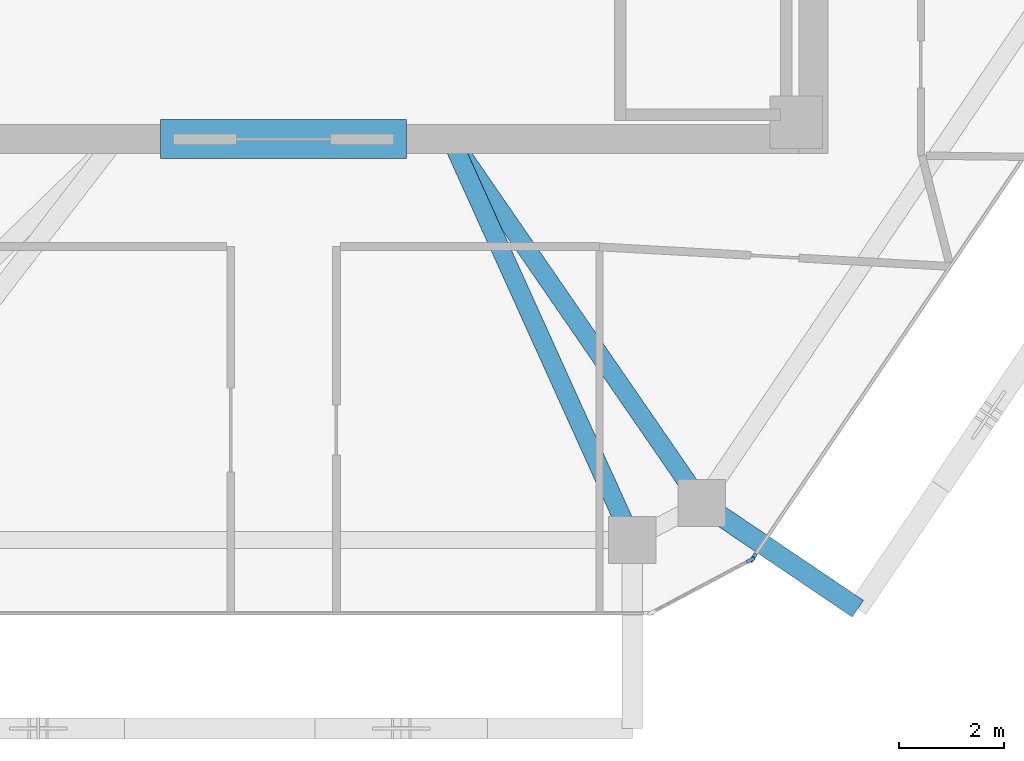
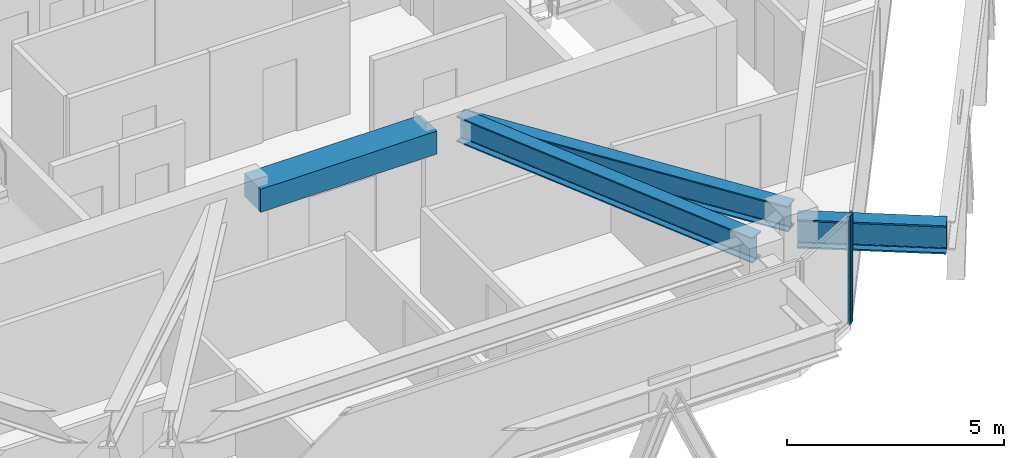
# One storey, part 3 of 13: 4 beams, 2 members, 2 elements without a shape of their own.
"""IFC4 building model written with IfcOpenShell, lengths in metres."""

import ifcopenshell
import ifcopenshell.guid

model = None  # the IFC model being written
_history = None  # IfcOwnerHistory: only IFC2X3 demands one
_inside = {}  # id of a spatial element -> (the spatial element, [elements in it])
_under = {}  # id of a project, library or spatial element -> (it, [spatial elements below it])
_declared = {}  # id of a project -> (the project, [libraries it declares])
_typed = {}  # id of a type object -> (the type object, [elements of that type])
_made_of = {}  # id of a material, layer set ... -> (it, [elements and type objects made of it])


def new_model(schema):
    """Start an empty IFC model of exactly this schema.

    Asked for "IFC4X3", IfcOpenShell would pick the latest addendum, in which some entities
    have other attributes; the version numbers below select the first issue.
    IFC2X3 requires an IfcOwnerHistory on every rooted entity: one is made here for all.
    """
    global model, _history
    if schema == "IFC4X3":
        model = ifcopenshell.file(schema_version=(4, 3, 0, 0))
    else:
        model = ifcopenshell.file(schema=schema)
    _inside.clear()
    _under.clear()
    _declared.clear()
    _typed.clear()
    _made_of.clear()
    _history = None
    if model.schema == "IFC2X3":
        org = make("IfcOrganization", Name="unknown")
        user = make(
            "IfcPersonAndOrganization",
            ThePerson=make("IfcPerson", FamilyName="unknown"),
            TheOrganization=org,
        )
        app = make(
            "IfcApplication",
            ApplicationDeveloper=org,
            Version="unknown",
            ApplicationFullName="unknown",
            ApplicationIdentifier="unknown",
        )
        _history = make(
            "IfcOwnerHistory",
            OwningUser=user,
            OwningApplication=app,
            ChangeAction="ADDED",
            CreationDate=0,
        )
    return model


def make(cls, **values):
    """One entity of the class cls with the attributes given. An attribute that is None is left unset."""
    return model.create_entity(
        cls, **{name: value for name, value in values.items() if value is not None}
    )


def rooted(cls, **values):
    """An entity with a GlobalId (a new one), such as an element, a storey or a relation."""
    return make(cls, GlobalId=ifcopenshell.guid.new(), OwnerHistory=_history, **values)


def si_unit(unit_type, name, prefix=None):
    """IfcSIUnit, for example si_unit("LENGTHUNIT", "METRE", prefix="MILLI")."""
    return make("IfcSIUnit", UnitType=unit_type, Prefix=prefix, Name=name)


def assignment(units):
    """IfcUnitAssignment: the units of a project."""
    return None if units is None else make("IfcUnitAssignment", Units=units)


def point(xyz):
    """IfcCartesianPoint."""
    return None if xyz is None else make("IfcCartesianPoint", Coordinates=xyz)


def direction(xyz):
    """IfcDirection."""
    return None if xyz is None else make("IfcDirection", DirectionRatios=xyz)


def frame(location, z_axis=None, x_axis=None):
    """IfcAxis2Placement3D, a coordinate frame: its origin and axes. An axis left out is left unset."""
    return make(
        "IfcAxis2Placement3D",
        Location=point(location),
        Axis=direction(z_axis),
        RefDirection=direction(x_axis),
    )


def frame_2d(location, x_axis=None):
    """IfcAxis2Placement2D, a coordinate frame in the plane: its origin and x axis."""
    return make(
        "IfcAxis2Placement2D", Location=point(location), RefDirection=direction(x_axis)
    )


def origin():
    """The frame at (0, 0, 0) with its axes left unset."""
    return frame((0.0, 0.0, 0.0))


def origin_2d():
    """The frame at (0, 0) in the plane with its x axis left unset."""
    return frame_2d((0.0, 0.0))


def place(relative_to, where):
    """IfcLocalPlacement: puts the frame where relative to a parent placement (None: the world)."""
    return make(
        "IfcLocalPlacement", PlacementRelTo=relative_to, RelativePlacement=where
    )


def context(
    kind, dimensions, precision=None, world=None, true_north=None, identifier=None
):
    """IfcGeometricRepresentationContext, for example the 3D "Model" context."""
    return make(
        "IfcGeometricRepresentationContext",
        ContextIdentifier=identifier,
        ContextType=kind,
        CoordinateSpaceDimension=dimensions,
        Precision=precision,
        WorldCoordinateSystem=world,
        TrueNorth=true_north,
    )


def subcontext(parent, identifier, kind, view, scale=None):
    """IfcGeometricRepresentationSubContext, for example "Body" below "Model"."""
    return make(
        "IfcGeometricRepresentationSubContext",
        ContextIdentifier=identifier,
        ContextType=kind,
        ParentContext=parent,
        TargetScale=scale,
        TargetView=view,
    )


def project(units=None, contexts=None):
    """IfcProject with its units and contexts."""
    return rooted(
        "IfcProject",
        Name="project",
        RepresentationContexts=contexts,
        UnitsInContext=assignment(units),
    )


def spatial(cls, under=None, at=None, **own):
    """A site, building, storey or space (cls), placed at a placement, below another one or the project."""
    s = rooted(cls, ObjectPlacement=at, **own)
    if under is not None:
        _under.setdefault(under.id(), (under, []))[1].append(s)
    return s


def profile(cls, at=None, kind="AREA", **sizes):
    """A parametric profile (cls). Its sizes go by their IFC names, for example OverallWidth=200.0."""
    return make(cls, ProfileType=kind, Position=at, **sizes)


def rectangle(**sizes):
    """IfcRectangleProfileDef."""
    return profile("IfcRectangleProfileDef", **sizes)


def i_section(**sizes):
    """IfcIShapeProfileDef."""
    return profile("IfcIShapeProfileDef", **sizes)


def extrude(swept, where, along, depth):
    """IfcExtrudedAreaSolid: the profile swept, set in the frame where, extruded along a direction by depth."""
    return make(
        "IfcExtrudedAreaSolid",
        SweptArea=swept,
        Position=where,
        ExtrudedDirection=direction(along),
        Depth=depth,
    )


def shape(context_of_items, identifier, shape_type, items):
    """IfcShapeRepresentation: the items that make up one representation, for example the "Body"."""
    return make(
        "IfcShapeRepresentation",
        ContextOfItems=context_of_items,
        RepresentationIdentifier=identifier,
        RepresentationType=shape_type,
        Items=items,
    )


def source(mapping_origin, context_of_items, identifier, shape_type, items):
    """IfcRepresentationMap: a shape defined once, which mapped items show again and again."""
    return make(
        "IfcRepresentationMap",
        MappingOrigin=mapping_origin,
        MappedRepresentation=shape(context_of_items, identifier, shape_type, items),
    )


def transform(
    local_origin,
    x_axis=None,
    y_axis=None,
    z_axis=None,
    scale=None,
    scale2=None,
    scale3=None,
    uniform=True,
):
    """IfcCartesianTransformationOperator3D, or its non-uniform kind. x_axis, y_axis, z_axis: its Axis1, 2, 3."""
    if uniform:
        return make(
            "IfcCartesianTransformationOperator3D",
            Axis1=direction(x_axis),
            Axis2=direction(y_axis),
            LocalOrigin=point(local_origin),
            Scale=scale,
            Axis3=direction(z_axis),
        )
    return make(
        "IfcCartesianTransformationOperator3DnonUniform",
        Axis1=direction(x_axis),
        Axis2=direction(y_axis),
        LocalOrigin=point(local_origin),
        Scale=scale,
        Axis3=direction(z_axis),
        Scale2=scale2,
        Scale3=scale3,
    )


def mapped(mapping_source, mapping_target):
    """IfcMappedItem: shows the shape of a source again, moved by a transform."""
    return make(
        "IfcMappedItem", MappingSource=mapping_source, MappingTarget=mapping_target
    )


def material(Name=None, Category=None):
    """IfcMaterial."""
    return make("IfcMaterial", Name=Name, Category=Category)


def layer(
    of_material, thickness, ventilated=None, Name=None, Category=None, Priority=None
):
    """IfcMaterialLayer: one layer of a wall or slab, of a material (None: an air gap)."""
    return make(
        "IfcMaterialLayer",
        Material=of_material,
        LayerThickness=thickness,
        IsVentilated=ventilated,
        Name=Name,
        Category=Category,
        Priority=Priority,
    )


def layer_set(layers, Name=None):
    """IfcMaterialLayerSet."""
    return make("IfcMaterialLayerSet", MaterialLayers=layers, LayerSetName=Name)


def material_profile(
    of_material, cross_section, Name=None, Category=None, Priority=None
):
    """IfcMaterialProfile: a cross section and its material."""
    return make(
        "IfcMaterialProfile",
        Name=Name,
        Material=of_material,
        Profile=cross_section,
        Priority=Priority,
        Category=Category,
    )


def profile_set(profiles, Name=None, composite=None):
    """IfcMaterialProfileSet."""
    return make(
        "IfcMaterialProfileSet",
        Name=Name,
        MaterialProfiles=profiles,
        CompositeProfile=composite,
    )


def made_of(thing, what):
    """Note that an element or type object is made of a material, layer set ...; save() writes the relation."""
    if what is not None:
        _made_of.setdefault(what.id(), (what, []))[1].append(thing)
    return thing


def type_object(cls, material=None, **own):
    """A type object (cls), such as IfcWallType, which elements share."""
    return made_of(rooted(cls, **own), material)


def type_shapes(of_type, sources):
    """Give a type object the sources (RepresentationMaps) that its elements show as mapped items."""
    of_type.RepresentationMaps = sources


def element(
    cls,
    number,
    at=None,
    inside=None,
    cuts=None,
    type_object=None,
    material=None,
    context=None,
    identifier="Body",
    shape_type=None,
    held_by="IfcProductDefinitionShape",
    body=None,
    shapes=None,
    **own,
):
    """One element of the class cls, such as IfcWall. Its Tag is "e" and its number.

    at: its placement. inside: the storey or other place that contains it. cuts: it is an
    opening in that element (IfcRelVoidsElement). A single representation is given by context,
    identifier, shape_type and body (its items); several are given by shapes. held_by: the class
    of the entity that holds the representations. save() writes the other relations.
    """
    e = rooted(cls, Tag="e%d" % number, ObjectPlacement=at, **own)
    if body is not None:
        shapes = [shape(context, identifier, shape_type, body)]
    if shapes is not None:
        e.Representation = make(held_by, Representations=shapes)
    if inside is not None:
        _inside.setdefault(inside.id(), (inside, []))[1].append(e)
    if cuts is not None:
        rooted(
            "IfcRelVoidsElement", RelatingBuildingElement=cuts, RelatedOpeningElement=e
        )
    if type_object is not None:
        _typed.setdefault(type_object.id(), (type_object, []))[1].append(e)
    return made_of(e, material)


def aggregate(whole, parts):
    """IfcRelAggregates: a whole, such as a stair, and the parts it consists of."""
    return rooted("IfcRelAggregates", RelatingObject=whole, RelatedObjects=parts)


def save(model, path):
    """Write the relations noted so far, then the file.

    IfcRelAggregates (storeys below a building ...), IfcRelContainedInSpatialStructure (elements
    in a storey), IfcRelDefinesByType, IfcRelAssociatesMaterial and IfcRelDeclares: one each for
    every whole, place, type object, material and project.
    """
    for whole, parts in _under.values():
        aggregate(whole, parts)
    for where, things in _inside.values():
        rooted(
            "IfcRelContainedInSpatialStructure",
            RelatedElements=things,
            RelatingStructure=where,
        )
    for kind, things in _typed.values():
        rooted("IfcRelDefinesByType", RelatedObjects=things, RelatingType=kind)
    for what, things in _made_of.values():
        rooted("IfcRelAssociatesMaterial", RelatedObjects=things, RelatingMaterial=what)
    for by, libraries in _declared.values():
        rooted("IfcRelDeclares", RelatingContext=by, RelatedDefinitions=libraries)
    model.write(path)


model = new_model("IFC4")

# Units and contexts
model_context = context("Model", 3, precision=1e-05, world=origin(), true_north=direction((0.0, 1.0)))
body_context = subcontext(model_context, "Body", "Model", "MODEL_VIEW")
ifc_project = project(units=[si_unit("LENGTHUNIT", "METRE"), si_unit("AREAUNIT", "SQUARE_METRE"), si_unit("VOLUMEUNIT", "CUBIC_METRE"), si_unit("PLANEANGLEUNIT", "RADIAN"), si_unit("MASSUNIT", "GRAM", prefix="KILO")], contexts=[model_context])

# Site, building, storey
site_placement = place(None, origin())
site = spatial("IfcSite", under=ifc_project, at=site_placement, CompositionType="ELEMENT")
building_placement = place(site_placement, origin())
building = spatial("IfcBuilding", under=site, at=building_placement, Name="Durnholm Broadcast Tower", CompositionType="ELEMENT")
storey_placement = place(building_placement, frame((0.0, 0.0, 234.800048828125)))
storey = spatial("IfcBuildingStorey", under=building, at=storey_placement, Name="L65", CompositionType="ELEMENT", Elevation=234.800048828125)

# Beams
ifc_material_1 = material(Name="Concrete C70/85", Category="concrete")
ifc_material_profile_1 = material_profile(ifc_material_1, rectangle(XDim=0.75, YDim=0.64990234375, at=origin_2d()), Name="RC750X650")
ifc_profile_set_1 = profile_set([ifc_material_profile_1], Name="Concrete C70/85")
beam_type_1 = type_object("IfcBeamType", Name="BM-CB-RC650", PredefinedType="LINTEL", material=ifc_profile_set_1)
shared_shape_1 = source(origin(), body_context, "Body", "SweptSolid", [
    extrude(rectangle(XDim=0.75, YDim=0.64990234375, at=origin_2d()), origin(), (0.0, 0.0, 1.0), 4.7001953125),
])
type_shapes(beam_type_1, [shared_shape_1])
beam_1_placement = place(storey_placement, frame((-2.35009765625, -8.125, 2.72998046875), z_axis=(1.0, 0.0, 0.0), x_axis=(0.0, 1.0, 0.0)))
element("IfcBeam", 1, at=beam_1_placement, inside=storey, type_object=beam_type_1, Name="L65 south core coupling lintel beam CB-S", PredefinedType="LINTEL", context=body_context, shape_type="MappedRepresentation", body=[
    mapped(shared_shape_1, transform((0.0, 0.0, 0.0), x_axis=(1.0, 0.0, 0.0), y_axis=(0.0, 1.0, 0.0), z_axis=(0.0, 0.0, 1.0), scale=1.0)),
])
ifc_material_2 = material(Name="Steel ASTM A992 Grade 50", Category="steel")
ifc_material_profile_2 = material_profile(ifc_material_2, i_section(OverallWidth=0.385009765625, OverallDepth=0.802978515625, WebThickness=0.023681640625, FlangeThickness=0.0419921875, FilletRadius=0.032958984375, at=origin_2d()), Name="W30X261")
ifc_profile_set_2 = profile_set([ifc_material_profile_2], Name="Steel ASTM A992 Grade 50")
beam_type_2 = type_object("IfcBeamType", Name="BM-EXO-TIE", PredefinedType="USERDEFINED", material=ifc_profile_set_2)
shared_shape_2 = source(origin(), body_context, "Body", "SweptSolid", [
    extrude(i_section(OverallWidth=0.385009765625, OverallDepth=0.802978515625, WebThickness=0.023681640625, FlangeThickness=0.0419921875, FilletRadius=0.032958984375, at=origin_2d()), origin(), (0.0, 0.0, 1.0), 3.4560546875),
])
type_shapes(beam_type_2, [shared_shape_2])
beam_2_placement = place(storey_placement, frame((8.110107421875, -15.161865234375, 2.30859375), z_axis=(0.828468499792, -0.560035663911, 0.0), x_axis=(0.560035663911, 0.828468499792, 0.0)))
element("IfcBeam", 2, at=beam_2_placement, inside=storey, type_object=beam_type_2, Name="L65 exoskeleton stand-off tie bracket F2.1", ObjectType="GIRDER", PredefinedType="USERDEFINED", context=body_context, shape_type="MappedRepresentation", body=[
    mapped(shared_shape_2, transform((0.0, 0.0, 0.0), x_axis=(1.0, 0.0, 0.0), y_axis=(0.0, 1.0, 0.0), z_axis=(0.0, 0.0, 1.0), scale=1.0)),
])
ifc_material_profile_3 = material_profile(ifc_material_2, i_section(OverallWidth=0.3564453125, OverallDepth=0.713623046875, WebThickness=0.01904296875, FlangeThickness=0.033935546875, FilletRadius=0.030517578125, at=origin_2d()), Name="W27X194")
ifc_profile_set_3 = profile_set([ifc_material_profile_3], Name="Steel ASTM A992 Grade 50")
beam_type_3 = type_object("IfcBeamType", Name="STL-GR-W27X194", PredefinedType="USERDEFINED", material=ifc_profile_set_3)
shared_shape_3 = source(origin(), body_context, "Body", "SweptSolid", [
    extrude(i_section(OverallWidth=0.3564453125, OverallDepth=0.713623046875, WebThickness=0.01904296875, FlangeThickness=0.033935546875, FilletRadius=0.030517578125, at=origin_2d()), origin(), (0.0, 0.0, 1.0), 8.446533203125),
])
beam_3_placement = place(storey_placement, frame((3.199951171875, -8.125, 2.688232421875), z_axis=(0.567216806915, -0.823568511997, 0.0), x_axis=(0.823568511997, 0.567216806915, 0.0)))
element("IfcBeam", 3, at=beam_3_placement, inside=storey, type_object=beam_type_3, Name="L65 radial primary floor girder 10", ObjectType="GIRDER", PredefinedType="USERDEFINED", context=body_context, shape_type="MappedRepresentation", body=[
    mapped(shared_shape_3, transform((0.0, 0.0, 0.0), x_axis=(1.0, 0.0, 0.0), y_axis=(0.0, 1.0, 0.0), z_axis=(0.0, 0.0, 1.0), scale=1.0)),
])
shared_shape_4 = source(origin(), body_context, "Body", "SweptSolid", [
    extrude(i_section(OverallWidth=0.3564453125, OverallDepth=0.713623046875, WebThickness=0.01904296875, FlangeThickness=0.033935546875, FilletRadius=0.030517578125, at=origin_2d()), origin(), (0.0, 0.0, 1.0), 8.407470703125),
])
type_shapes(beam_type_3, [shared_shape_3, shared_shape_4])
beam_4_placement = place(storey_placement, frame((3.199951171875, -8.125, 2.688232421875), z_axis=(0.411992813642, -0.911187094678, 0.0), x_axis=(0.911187094678, 0.411992813642, 0.0)))
element("IfcBeam", 4, at=beam_4_placement, inside=storey, type_object=beam_type_3, Name="L65 radial primary floor girder 11", ObjectType="GIRDER", PredefinedType="USERDEFINED", context=body_context, shape_type="MappedRepresentation", body=[
    mapped(shared_shape_4, transform((0.0, 0.0, 0.0), x_axis=(1.0, 0.0, 0.0), y_axis=(0.0, 1.0, 0.0), z_axis=(0.0, 0.0, 1.0), scale=1.0)),
])

# Curtain wall, member
ifc_material_3 = material(Name="Aluminium and Solar Control IGU", Category="aluminium")
ifc_layer_1 = layer(ifc_material_3, 0.1650390625)
ifc_layer_set_1 = layer_set([ifc_layer_1], Name="Aluminium and Solar Control IGU")
curtain_wall_type_1 = type_object("IfcCurtainWallType", Name="CW-SYS-5", PredefinedType="NOTDEFINED", material=ifc_layer_set_1)
curtain_wall_1_placement = place(storey_placement, origin())
curtain_wall_1 = element("IfcCurtainWall", 5, at=curtain_wall_1_placement, inside=storey, type_object=curtain_wall_type_1, Name="L65 curtain wall CW-CORNER CW-L65-CRN-09", PredefinedType="NOTDEFINED")
ifc_material_4 = material(Name="Aluminium 6063-T6", Category="aluminium")
ifc_material_profile_4 = material_profile(ifc_material_4, rectangle(XDim=0.06494140625, YDim=0.1650390625, at=origin_2d()), Name="CWM65X165")
ifc_profile_set_4 = profile_set([ifc_material_profile_4], Name="Aluminium 6063-T6")
member_type_1 = type_object("IfcMemberType", Name="CW-SYS-5-MUL", PredefinedType="MULLION", material=ifc_profile_set_4)
shared_shape_5 = source(origin(), body_context, "Body", "SweptSolid", [
    extrude(rectangle(XDim=0.06494140625, YDim=0.1650390625, at=origin_2d()), origin(), (0.0, 0.0, 1.0), 3.06005859375),
])
type_shapes(member_type_1, [shared_shape_5])
member_1_placement = place(storey_placement, frame((8.9267578125, -16.16943359375, 0.0), z_axis=(0.0, 0.0, 1.0), x_axis=(0.469006771575, -0.883194569853, 0.0)))
member_1 = element("IfcMember", 6, at=member_1_placement, type_object=member_type_1, Name="CW-CORNER mullion 1", PredefinedType="MULLION", context=body_context, shape_type="MappedRepresentation", body=[
    mapped(shared_shape_5, transform((0.0, 0.0, 0.0), x_axis=(1.0, 0.0, 0.0), y_axis=(0.0, 1.0, 0.0), z_axis=(0.0, 0.0, 1.0), scale=1.0)),
])
aggregate(curtain_wall_1, [member_1])

ifc_layer_2 = layer(ifc_material_3, 0.18994140625)
ifc_layer_set_2 = layer_set([ifc_layer_2], Name="Aluminium and Solar Control IGU")
curtain_wall_type_2 = type_object("IfcCurtainWallType", Name="CW-SYS-4", PredefinedType="NOTDEFINED", material=ifc_layer_set_2)
curtain_wall_2_placement = place(storey_placement, origin())
curtain_wall_2 = element("IfcCurtainWall", 7, at=curtain_wall_2_placement, inside=storey, type_object=curtain_wall_type_2, Name="L65 curtain wall CW-Z34-VIS CW-L65-F08", PredefinedType="NOTDEFINED")
ifc_material_profile_5 = material_profile(ifc_material_4, rectangle(XDim=0.070068359375, YDim=0.18994140625, at=origin_2d()), Name="CWM70X190")
ifc_profile_set_5 = profile_set([ifc_material_profile_5], Name="Aluminium 6063-T6")
member_type_2 = type_object("IfcMemberType", Name="CW-SYS-4-MUL", PredefinedType="MULLION", material=ifc_profile_set_5)
shared_shape_6 = source(origin(), body_context, "Body", "SweptSolid", [
    extrude(rectangle(XDim=0.070068359375, YDim=0.18994140625, at=origin_2d()), origin(), (0.0, 0.0, 1.0), 3.06005859375),
])
type_shapes(member_type_2, [shared_shape_6])
member_2_placement = place(storey_placement, frame((8.97509765625, -16.125244140625, 0.0), z_axis=(0.0, 0.0, 1.0), x_axis=(0.828443431662, -0.560072745753, 0.0)))
member_2 = element("IfcMember", 8, at=member_2_placement, type_object=member_type_2, Name="CW-Z34-VIS mullion 2", PredefinedType="MULLION", context=body_context, shape_type="MappedRepresentation", body=[
    mapped(shared_shape_6, transform((0.0, 0.0, 0.0), x_axis=(1.0, 0.0, 0.0), y_axis=(0.0, 1.0, 0.0), z_axis=(0.0, 0.0, 1.0), scale=1.0)),
])
aggregate(curtain_wall_2, [member_2])

save(model, "model.ifc")
